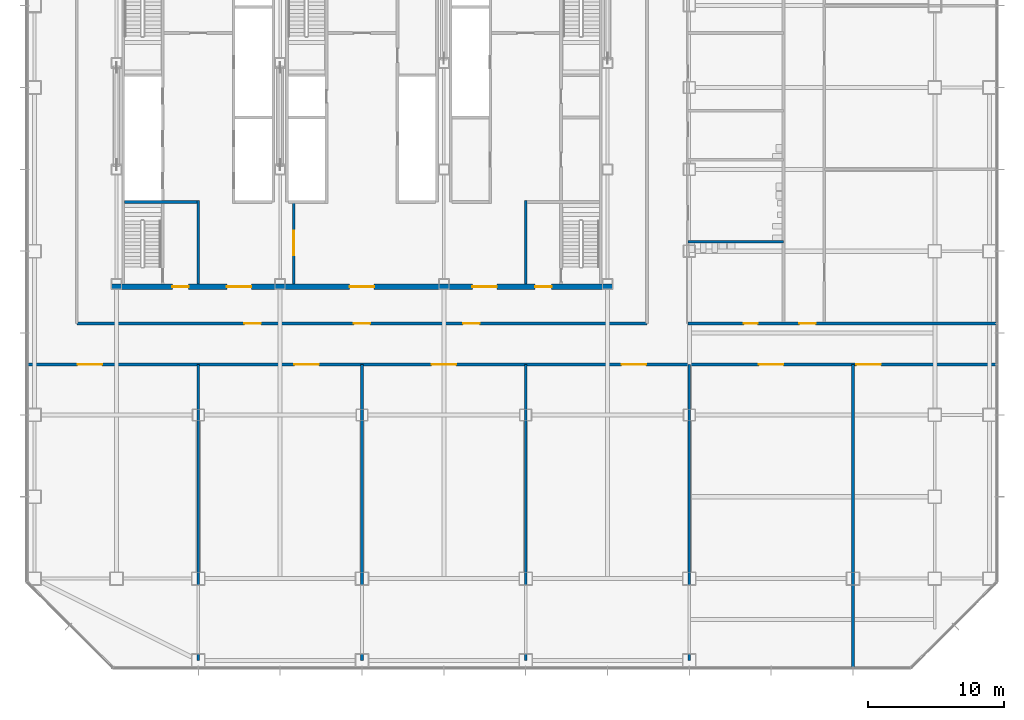
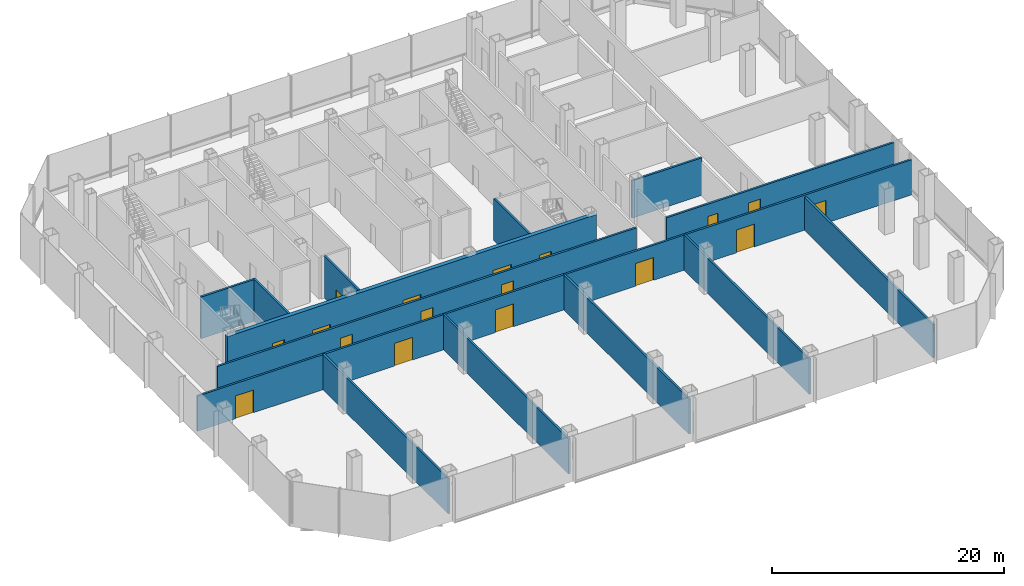
# One storey, part 23 of 33: 17 doors, 14 walls, 17 openings.
"""IFC4 building model written with IfcOpenShell, lengths in metres."""

from ifc_helpers import new_model, si_unit, direction, frame, frame_2d, origin, place, context, subcontext, project, spatial, rectangle, extrude, material, layer, layer_set, type_object, element, fill, save


model = new_model("IFC4")

# Units and contexts
model_context = context("Model", 3, precision=1e-05, world=origin(), true_north=direction((0.0, 1.0)))
body_context = subcontext(model_context, "Body", "Model", "MODEL_VIEW")
ifc_project = project(units=[si_unit("LENGTHUNIT", "METRE"), si_unit("AREAUNIT", "SQUARE_METRE"), si_unit("VOLUMEUNIT", "CUBIC_METRE"), si_unit("PLANEANGLEUNIT", "RADIAN"), si_unit("MASSUNIT", "GRAM", prefix="KILO")], contexts=[model_context])

# Site, building, storey
site_placement = place(None, origin())
site = spatial("IfcSite", under=ifc_project, at=site_placement, CompositionType="ELEMENT")
building_placement = place(site_placement, origin())
building = spatial("IfcBuilding", under=site, at=building_placement, Name="Sorahane Residences", CompositionType="ELEMENT")
storey_placement = place(building_placement, frame((0.0, 0.0, 30.0)))
storey = spatial("IfcBuildingStorey", under=building, at=storey_placement, Name="L04", CompositionType="ELEMENT", Elevation=30.0)

# Walls
ifc_material_1 = material(Name="Concrete blockwork C20 wall", Category="masonry")
ifc_layer_1 = layer(ifc_material_1, 0.199951171875)
ifc_layer_set_1 = layer_set([ifc_layer_1], Name="Corridor wall 200 EI 120")
wall_type_1 = type_object("IfcWallType", Name="Corridor wall 200 EI 120", PredefinedType="SOLIDWALL", material=ifc_layer_set_1)
for number, where, z_axis, x_axis, name in (
    (1, (12.0, -6.0, 0.0), (0.0, 0.0, 1.0), (0.0, 1.0, 0.0), "L04 corridor wall"),
    (2, (24.0, -6.0, 0.0), (0.0, 0.0, 1.0), (0.0, 1.0, 0.0), "L04 corridor wall"),
    (3, (36.0, -6.0, 0.0), (0.0, 0.0, 1.0), (0.0, 1.0, 0.0), "L04 corridor wall"),
    (4, (48.0, -6.0, 0.0), (0.0, 0.0, 1.0), (0.0, 1.0, 0.0), "L04 corridor wall"),
):
    element("IfcWall", number, at=place(storey_placement, frame(where, z_axis=z_axis, x_axis=x_axis)), inside=storey, type_object=wall_type_1, Name=name, PredefinedType="SOLIDWALL", context=body_context, shape_type="SweptSolid", body=[
        extrude(rectangle(XDim=21.699951171875, YDim=0.199951171875, at=frame_2d((10.85009765625, 0.0))), origin(), (0.0, 0.0, 1.0), 3.699951171875),
    ])
wall_1_placement = place(storey_placement, frame((60.0, -6.60009765625, 0.0), z_axis=(0.0, 0.0, 1.0), x_axis=(0.0, 1.0, 0.0)))
element("IfcWall", 5, at=wall_1_placement, inside=storey, type_object=wall_type_1, Name="L04 corridor wall", PredefinedType="SOLIDWALL", context=body_context, shape_type="SweptSolid", body=[
    extrude(rectangle(XDim=22.300048828125, YDim=0.199951171875, at=frame_2d((11.14990234375, 0.0))), origin(), (0.0, 0.0, 1.0), 3.5),
])

# Wall, openings, doors
wall_2_placement = place(storey_placement, frame((-0.60009765625, 15.699951171875, 0.0), z_axis=(0.0, 0.0, 1.0), x_axis=(1.0, 0.0, 0.0)))
wall_2 = element("IfcWall", 6, at=wall_2_placement, inside=storey, type_object=wall_type_1, Name="L04 corridor wall", PredefinedType="SOLIDWALL", context=body_context, shape_type="SweptSolid", body=[
    extrude(rectangle(XDim=71.2001953125, YDim=0.199951171875, at=frame_2d((35.60009765625, 0.0))), origin(), (0.0, 0.0, 1.0), 3.699951171875),
])
opening_1_placement = place(wall_2_placement, frame((3.760009765625, 0.0, 0.0)))
opening_1 = element("IfcOpeningElement", 7, at=opening_1_placement, cuts=wall_2, Name="Opening L04-01", PredefinedType="OPENING", context=body_context, shape_type="SweptSolid", body=[
    extrude(rectangle(XDim=1.800048828125, YDim=2.39990234375, at=frame_2d((0.89990234375, 1.199951171875))), frame((0.0, 0.10986328125, 0.0), z_axis=(0.0, -1.0, 0.0), x_axis=(1.0, 0.0, 0.0)), (0.0, 0.0, 1.0), 0.219970703125),
])
opening_2_placement = place(wall_2_placement, frame((19.639892578125, 0.0, 0.0)))
opening_2 = element("IfcOpeningElement", 8, at=opening_2_placement, cuts=wall_2, Name="Opening L04-02", PredefinedType="OPENING", context=body_context, shape_type="SweptSolid", body=[
    extrude(rectangle(XDim=1.800048828125, YDim=2.39990234375, at=frame_2d((0.89990234375, 1.199951171875))), frame((0.0, 0.10986328125, 0.0), z_axis=(0.0, -1.0, 0.0), x_axis=(1.0, 0.0, 0.0)), (0.0, 0.0, 1.0), 0.219970703125),
])
opening_3_placement = place(wall_2_placement, frame((29.699951171875, 0.0, 0.0)))
opening_3 = element("IfcOpeningElement", 9, at=opening_3_placement, cuts=wall_2, Name="Opening L04-03", PredefinedType="OPENING", context=body_context, shape_type="SweptSolid", body=[
    extrude(rectangle(XDim=1.800048828125, YDim=2.39990234375, at=frame_2d((0.89990234375, 1.199951171875))), frame((0.0, 0.10986328125, 0.0), z_axis=(0.0, -1.0, 0.0), x_axis=(1.0, 0.0, 0.0)), (0.0, 0.0, 1.0), 0.219970703125),
])
opening_4_placement = place(wall_2_placement, frame((43.639892578125, 0.0, 0.0)))
opening_4 = element("IfcOpeningElement", 10, at=opening_4_placement, cuts=wall_2, Name="Opening L04-04", PredefinedType="OPENING", context=body_context, shape_type="SweptSolid", body=[
    extrude(rectangle(XDim=1.800048828125, YDim=2.39990234375, at=frame_2d((0.89990234375, 1.199951171875))), frame((0.0, 0.10986328125, 0.0), z_axis=(0.0, -1.0, 0.0), x_axis=(1.0, 0.0, 0.0)), (0.0, 0.0, 1.0), 0.219970703125),
])
opening_5_placement = place(wall_2_placement, frame((53.699951171875, 0.0, 0.0)))
opening_5 = element("IfcOpeningElement", 11, at=opening_5_placement, cuts=wall_2, Name="Opening L04-05", PredefinedType="OPENING", context=body_context, shape_type="SweptSolid", body=[
    extrude(rectangle(XDim=1.800048828125, YDim=2.39990234375, at=frame_2d((0.89990234375, 1.199951171875))), frame((0.0, 0.10986328125, 0.0), z_axis=(0.0, -1.0, 0.0), x_axis=(1.0, 0.0, 0.0)), (0.0, 0.0, 1.0), 0.219970703125),
])
opening_6_placement = place(wall_2_placement, frame((60.85009765625, 0.0, 0.0)))
opening_6 = element("IfcOpeningElement", 12, at=opening_6_placement, cuts=wall_2, Name="Opening L04-06", PredefinedType="OPENING", context=body_context, shape_type="SweptSolid", body=[
    extrude(rectangle(XDim=1.800048828125, YDim=2.39990234375, at=frame_2d((0.89990234375, 1.199951171875))), frame((0.0, 0.10986328125, 0.0), z_axis=(0.0, -1.0, 0.0), x_axis=(1.0, 0.0, 0.0)), (0.0, 0.0, 1.0), 0.219970703125),
])
ifc_material_2 = material(Name="Timber veneered fire door", Category="wood")
door_type_1 = type_object("IfcDoorType", Name="Double door 1800x2400 FD30", OperationType="NOTDEFINED", PredefinedType="DOOR", material=ifc_material_2)
door_1_placement = place(opening_1_placement, origin())
door_1 = element("IfcDoor", 13, at=door_1_placement, inside=storey, type_object=door_type_1, Name="Double door L04-01", OperationType="SINGLE_SWING_RIGHT", OverallHeight=2.39990234375, OverallWidth=1.800048828125, PredefinedType="DOOR", context=body_context, shape_type="SweptSolid", body=[
    extrude(rectangle(XDim=1.800048828125, YDim=2.39990234375, at=frame_2d((0.89990234375, 1.199951171875))), frame((0.0, 0.02490234375, 0.0), z_axis=(0.0, -1.0, 0.0), x_axis=(1.0, 0.0, 0.0)), (0.0, 0.0, 1.0), 0.050048828125),
])
fill(opening_1, door_1)
door_2_placement = place(opening_2_placement, origin())
door_2 = element("IfcDoor", 14, at=door_2_placement, inside=storey, type_object=door_type_1, Name="Double door L04-02", OperationType="SINGLE_SWING_RIGHT", OverallHeight=2.39990234375, OverallWidth=1.800048828125, PredefinedType="DOOR", context=body_context, shape_type="SweptSolid", body=[
    extrude(rectangle(XDim=1.800048828125, YDim=2.39990234375, at=frame_2d((0.89990234375, 1.199951171875))), frame((0.0, 0.02490234375, 0.0), z_axis=(0.0, -1.0, 0.0), x_axis=(1.0, 0.0, 0.0)), (0.0, 0.0, 1.0), 0.050048828125),
])
fill(opening_2, door_2)
door_3_placement = place(opening_3_placement, origin())
door_3 = element("IfcDoor", 15, at=door_3_placement, inside=storey, type_object=door_type_1, Name="Double door L04-03", OperationType="SINGLE_SWING_LEFT", OverallHeight=2.39990234375, OverallWidth=1.800048828125, PredefinedType="DOOR", context=body_context, shape_type="SweptSolid", body=[
    extrude(rectangle(XDim=1.800048828125, YDim=2.39990234375, at=frame_2d((0.89990234375, 1.199951171875))), frame((0.0, 0.02490234375, 0.0), z_axis=(0.0, -1.0, 0.0), x_axis=(1.0, 0.0, 0.0)), (0.0, 0.0, 1.0), 0.050048828125),
])
fill(opening_3, door_3)
door_4_placement = place(opening_4_placement, origin())
door_4 = element("IfcDoor", 16, at=door_4_placement, inside=storey, type_object=door_type_1, Name="Double door L04-04", OperationType="SINGLE_SWING_RIGHT", OverallHeight=2.39990234375, OverallWidth=1.800048828125, PredefinedType="DOOR", context=body_context, shape_type="SweptSolid", body=[
    extrude(rectangle(XDim=1.800048828125, YDim=2.39990234375, at=frame_2d((0.89990234375, 1.199951171875))), frame((0.0, 0.02490234375, 0.0), z_axis=(0.0, -1.0, 0.0), x_axis=(1.0, 0.0, 0.0)), (0.0, 0.0, 1.0), 0.050048828125),
])
fill(opening_4, door_4)
door_5_placement = place(opening_5_placement, origin())
door_5 = element("IfcDoor", 17, at=door_5_placement, inside=storey, type_object=door_type_1, Name="Double door L04-05", OperationType="SINGLE_SWING_LEFT", OverallHeight=2.39990234375, OverallWidth=1.800048828125, PredefinedType="DOOR", context=body_context, shape_type="SweptSolid", body=[
    extrude(rectangle(XDim=1.800048828125, YDim=2.39990234375, at=frame_2d((0.89990234375, 1.199951171875))), frame((0.0, 0.02490234375, 0.0), z_axis=(0.0, -1.0, 0.0), x_axis=(1.0, 0.0, 0.0)), (0.0, 0.0, 1.0), 0.050048828125),
])
fill(opening_5, door_5)
door_6_placement = place(opening_6_placement, origin())
door_6 = element("IfcDoor", 18, at=door_6_placement, inside=storey, type_object=door_type_1, Name="Double door L04-06", OperationType="SINGLE_SWING_LEFT", OverallHeight=2.39990234375, OverallWidth=1.800048828125, PredefinedType="DOOR", context=body_context, shape_type="SweptSolid", body=[
    extrude(rectangle(XDim=1.800048828125, YDim=2.39990234375, at=frame_2d((0.89990234375, 1.199951171875))), frame((0.0, 0.02490234375, 0.0), z_axis=(0.0, -1.0, 0.0), x_axis=(1.0, 0.0, 0.0)), (0.0, 0.0, 1.0), 0.050048828125),
])
fill(opening_6, door_6)

wall_3_placement = place(storey_placement, frame((3.10009765625, 18.699951171875, 0.0), z_axis=(0.0, 0.0, 1.0), x_axis=(1.0, 0.0, 0.0)))
wall_3 = element("IfcWall", 19, at=wall_3_placement, inside=storey, type_object=wall_type_1, Name="L04 corridor wall", PredefinedType="SOLIDWALL", context=body_context, shape_type="SweptSolid", body=[
    extrude(rectangle(XDim=41.7998046875, YDim=0.199951171875, at=frame_2d((20.89990234375, 0.0))), origin(), (0.0, 0.0, 1.0), 3.699951171875),
])
opening_7_placement = place(wall_3_placement, frame((28.320068359375, 0.0, 0.0)))
opening_7 = element("IfcOpeningElement", 20, at=opening_7_placement, cuts=wall_3, Name="Opening L04-17", PredefinedType="OPENING", context=body_context, shape_type="SweptSolid", body=[
    extrude(rectangle(XDim=1.199951171875, YDim=2.39990234375, at=frame_2d((0.60009765625, 1.199951171875))), frame((0.0, 0.10986328125, 0.0), z_axis=(0.0, -1.0, 0.0), x_axis=(1.0, 0.0, 0.0)), (0.0, 0.0, 1.0), 0.219970703125),
])
opening_8_placement = place(wall_3_placement, frame((20.300048828125, 0.0, 0.0)))
opening_8 = element("IfcOpeningElement", 21, at=opening_8_placement, cuts=wall_3, Name="Opening L04-18", PredefinedType="OPENING", context=body_context, shape_type="SweptSolid", body=[
    extrude(rectangle(XDim=1.199951171875, YDim=2.39990234375, at=frame_2d((0.60009765625, 1.199951171875))), frame((0.0, 0.10986328125, 0.0), z_axis=(0.0, -1.0, 0.0), x_axis=(1.0, 0.0, 0.0)), (0.0, 0.0, 1.0), 0.219970703125),
])
opening_9_placement = place(wall_3_placement, frame((12.280029296875, 0.0, 0.0)))
opening_9 = element("IfcOpeningElement", 22, at=opening_9_placement, cuts=wall_3, Name="Opening L04-19", PredefinedType="OPENING", context=body_context, shape_type="SweptSolid", body=[
    extrude(rectangle(XDim=1.199951171875, YDim=2.39990234375, at=frame_2d((0.60009765625, 1.199951171875))), frame((0.0, 0.10986328125, 0.0), z_axis=(0.0, -1.0, 0.0), x_axis=(1.0, 0.0, 0.0)), (0.0, 0.0, 1.0), 0.219970703125),
])
ifc_material_3 = material(Name="Steel", Category="steel")
door_type_2 = type_object("IfcDoorType", Name="Lobby door 1200x2400 FD60", OperationType="NOTDEFINED", PredefinedType="DOOR", material=ifc_material_3)
door_7_placement = place(opening_7_placement, frame((1.199951171875, 0.0, 0.0), z_axis=(0.0, 0.0, 1.0), x_axis=(-1.0, 0.0, 0.0)))
door_7 = element("IfcDoor", 23, at=door_7_placement, inside=storey, type_object=door_type_2, Name="Lobby door L04-17", OperationType="SINGLE_SWING_LEFT", OverallHeight=2.39990234375, OverallWidth=1.199951171875, PredefinedType="DOOR", context=body_context, shape_type="SweptSolid", body=[
    extrude(rectangle(XDim=1.199951171875, YDim=2.39990234375, at=frame_2d((0.60009765625, 1.199951171875))), frame((0.0, 0.02490234375, 0.0), z_axis=(0.0, -1.0, 0.0), x_axis=(1.0, 0.0, 0.0)), (0.0, 0.0, 1.0), 0.050048828125),
])
fill(opening_7, door_7)
door_8_placement = place(opening_8_placement, frame((1.199951171875, 0.0, 0.0), z_axis=(0.0, 0.0, 1.0), x_axis=(-1.0, 0.0, 0.0)))
door_8 = element("IfcDoor", 24, at=door_8_placement, inside=storey, type_object=door_type_2, Name="Lobby door L04-18", OperationType="SINGLE_SWING_LEFT", OverallHeight=2.39990234375, OverallWidth=1.199951171875, PredefinedType="DOOR", context=body_context, shape_type="SweptSolid", body=[
    extrude(rectangle(XDim=1.199951171875, YDim=2.39990234375, at=frame_2d((0.60009765625, 1.199951171875))), frame((0.0, 0.02490234375, 0.0), z_axis=(0.0, -1.0, 0.0), x_axis=(1.0, 0.0, 0.0)), (0.0, 0.0, 1.0), 0.050048828125),
])
fill(opening_8, door_8)
door_9_placement = place(opening_9_placement, frame((1.199951171875, 0.0, 0.0), z_axis=(0.0, 0.0, 1.0), x_axis=(-1.0, 0.0, 0.0)))
door_9 = element("IfcDoor", 25, at=door_9_placement, inside=storey, type_object=door_type_2, Name="Lobby door L04-19", OperationType="SINGLE_SWING_LEFT", OverallHeight=2.39990234375, OverallWidth=1.199951171875, PredefinedType="DOOR", context=body_context, shape_type="SweptSolid", body=[
    extrude(rectangle(XDim=1.199951171875, YDim=2.39990234375, at=frame_2d((0.60009765625, 1.199951171875))), frame((0.0, 0.02490234375, 0.0), z_axis=(0.0, -1.0, 0.0), x_axis=(1.0, 0.0, 0.0)), (0.0, 0.0, 1.0), 0.050048828125),
])
fill(opening_9, door_9)

wall_4_placement = place(storey_placement, frame((47.89990234375, 18.699951171875, 0.0), z_axis=(0.0, 0.0, 1.0), x_axis=(1.0, 0.0, 0.0)))
wall_4 = element("IfcWall", 26, at=wall_4_placement, inside=storey, type_object=wall_type_1, Name="L04 corridor wall", PredefinedType="SOLIDWALL", context=body_context, shape_type="SweptSolid", body=[
    extrude(rectangle(XDim=22.7001953125, YDim=0.199951171875, at=frame_2d((11.35009765625, 0.0))), origin(), (0.0, 0.0, 1.0), 3.699951171875),
])
opening_10_placement = place(wall_4_placement, frame((4.10009765625, 0.0, 0.0)))
opening_10 = element("IfcOpeningElement", 27, at=opening_10_placement, cuts=wall_4, Name="Opening L04-07", PredefinedType="OPENING", context=body_context, shape_type="SweptSolid", body=[
    extrude(rectangle(XDim=1.0, YDim=2.39990234375, at=frame_2d((0.5, 1.199951171875))), frame((0.0, 0.10986328125, 0.0), z_axis=(0.0, -1.0, 0.0), x_axis=(1.0, 0.0, 0.0)), (0.0, 0.0, 1.0), 0.219970703125),
])
opening_11_placement = place(wall_4_placement, frame((8.159912109375, 0.0, 0.0)))
opening_11 = element("IfcOpeningElement", 28, at=opening_11_placement, cuts=wall_4, Name="Opening L04-13", PredefinedType="OPENING", context=body_context, shape_type="SweptSolid", body=[
    extrude(rectangle(XDim=1.199951171875, YDim=2.39990234375, at=frame_2d((0.60009765625, 1.199951171875))), frame((0.0, 0.10986328125, 0.0), z_axis=(0.0, -1.0, 0.0), x_axis=(1.0, 0.0, 0.0)), (0.0, 0.0, 1.0), 0.219970703125),
])
door_10_placement = place(opening_11_placement, origin())
door_10 = element("IfcDoor", 29, at=door_10_placement, inside=storey, type_object=door_type_2, Name="Lobby door L04-13", OperationType="SINGLE_SWING_RIGHT", OverallHeight=2.39990234375, OverallWidth=1.199951171875, PredefinedType="DOOR", context=body_context, shape_type="SweptSolid", body=[
    extrude(rectangle(XDim=1.199951171875, YDim=2.39990234375, at=frame_2d((0.60009765625, 1.199951171875))), frame((0.0, 0.02490234375, 0.0), z_axis=(0.0, -1.0, 0.0), x_axis=(1.0, 0.0, 0.0)), (0.0, 0.0, 1.0), 0.050048828125),
])
fill(opening_11, door_10)
ifc_material_4 = material(Name="Timber veneered fire door", Category="wood")
door_type_3 = type_object("IfcDoorType", Name="Room door 1000x2400 FD30", OperationType="NOTDEFINED", PredefinedType="DOOR", material=ifc_material_4)
door_11_placement = place(opening_10_placement, origin())
door_11 = element("IfcDoor", 30, at=door_11_placement, inside=storey, type_object=door_type_3, Name="Room door L04-07", OperationType="SINGLE_SWING_LEFT", OverallHeight=2.39990234375, OverallWidth=1.0, PredefinedType="DOOR", context=body_context, shape_type="SweptSolid", body=[
    extrude(rectangle(XDim=1.0, YDim=2.39990234375, at=frame_2d((0.5, 1.199951171875))), frame((0.0, 0.02490234375, 0.0), z_axis=(0.0, -1.0, 0.0), x_axis=(1.0, 0.0, 0.0)), (0.0, 0.0, 1.0), 0.050048828125),
])
fill(opening_10, door_11)

# Walls
wall_5_placement = place(storey_placement, frame((47.89990234375, 24.699951171875, 0.0), z_axis=(0.0, 0.0, 1.0), x_axis=(1.0, 0.0, 0.0)))
element("IfcWall", 31, at=wall_5_placement, inside=storey, type_object=wall_type_1, Name="L04 corridor wall", PredefinedType="SOLIDWALL", context=body_context, shape_type="SweptSolid", body=[
    extrude(rectangle(XDim=7.0, YDim=0.199951171875, at=frame_2d((3.5, 0.0))), origin(), (0.0, 0.0, 1.0), 3.949951171875),
])
ifc_material_5 = material(Name="Concrete C30", Category="concrete")
ifc_layer_2 = layer(ifc_material_5, 0.199951171875)
ifc_layer_set_2 = layer_set([ifc_layer_2], Name="Front room wall 200 EI 120")
wall_type_2 = type_object("IfcWallType", Name="Front room wall 200 EI 120", PredefinedType="PARTITIONING", material=ifc_layer_set_2)
for number, where, z_axis, x_axis, name in (
    (32, (12.0, 21.60009765625, 0.0), (0.0, 0.0, 1.0), (0.0, 1.0, 0.0), "L04 front room wall"),
    (33, (36.0, 21.60009765625, 0.0), (0.0, 0.0, 1.0), (0.0, 1.0, 0.0), "L04 front room wall"),
):
    element("IfcWall", number, at=place(storey_placement, frame(where, z_axis=z_axis, x_axis=x_axis)), inside=storey, type_object=wall_type_2, Name=name, PredefinedType="PARTITIONING", context=body_context, shape_type="SweptSolid", body=[
        extrude(rectangle(XDim=6.099853515625, YDim=0.199951171875, at=frame_2d((3.0498046875, 0.0))), origin(), (0.0, 0.0, 1.0), 4.39990234375),
    ])

# Wall, opening, door
ifc_material_6 = material(Name="Concrete C30", Category="concrete")
ifc_layer_3 = layer(ifc_material_6, 0.199951171875)
ifc_layer_set_3 = layer_set([ifc_layer_3], Name="Service room partition 200 EI 60")
wall_type_3 = type_object("IfcWallType", Name="Service room partition 200 EI 60", PredefinedType="PARTITIONING", material=ifc_layer_set_3)
wall_6_placement = place(storey_placement, frame((19.0, 21.60009765625, 0.0), z_axis=(0.0, 0.0, 1.0), x_axis=(0.0, 1.0, 0.0)))
wall_6 = element("IfcWall", 34, at=wall_6_placement, inside=storey, type_object=wall_type_3, Name="L04 service room wall", PredefinedType="PARTITIONING", context=body_context, shape_type="SweptSolid", body=[
    extrude(rectangle(XDim=6.0, YDim=0.199951171875, at=frame_2d((3.0, 0.0))), origin(), (0.0, 0.0, 1.0), 4.39990234375),
])
opening_12_placement = place(wall_6_placement, frame((2.10009765625, 0.0, 0.0)))
opening_12 = element("IfcOpeningElement", 35, at=opening_12_placement, cuts=wall_6, Name="Opening L04-C02", PredefinedType="OPENING", context=body_context, shape_type="SweptSolid", body=[
    extrude(rectangle(XDim=1.800048828125, YDim=2.10009765625, at=frame_2d((0.89990234375, 1.050048828125))), frame((0.0, 0.10986328125, 0.0), z_axis=(0.0, -1.0, 0.0), x_axis=(1.0, 0.0, 0.0)), (0.0, 0.0, 1.0), 0.219970703125),
])
ifc_material_7 = material(Name="Steel", Category="steel")
door_type_4 = type_object("IfcDoorType", Name="Waiting hall door 1800x2100 FD60", OperationType="NOTDEFINED", PredefinedType="DOOR", material=ifc_material_7)
door_12_placement = place(opening_12_placement, origin())
door_12 = element("IfcDoor", 36, at=door_12_placement, inside=storey, type_object=door_type_4, Name="Waiting hall door Residents' waiting hall west L04", OperationType="SINGLE_SWING_LEFT", OverallHeight=2.10009765625, OverallWidth=1.800048828125, PredefinedType="DOOR", context=body_context, shape_type="SweptSolid", body=[
    extrude(rectangle(XDim=1.800048828125, YDim=2.10009765625, at=frame_2d((0.89990234375, 1.050048828125))), frame((0.0, 0.02490234375, 0.0), z_axis=(0.0, -1.0, 0.0), x_axis=(1.0, 0.0, 0.0)), (0.0, 0.0, 1.0), 0.050048828125),
])
fill(opening_12, door_12)

# Wall
ifc_material_8 = material(Name="Concrete C30", Category="concrete")
ifc_layer_4 = layer(ifc_material_8, 0.199951171875)
ifc_layer_set_4 = layer_set([ifc_layer_4], Name="Stair enclosure wall 200 EI 120")
wall_type_4 = type_object("IfcWallType", Name="Stair enclosure wall 200 EI 120", PredefinedType="SOLIDWALL", material=ifc_layer_set_4)
wall_7_placement = place(storey_placement, frame((6.60009765625, 27.60009765625, 0.0), z_axis=(0.0, 0.0, 1.0), x_axis=(1.0, 0.0, 0.0)))
element("IfcWall", 37, at=wall_7_placement, inside=storey, type_object=wall_type_4, Name="L04 stair enclosure wall", PredefinedType="SOLIDWALL", context=body_context, shape_type="SweptSolid", body=[
    extrude(rectangle(XDim=5.2998046875, YDim=0.199951171875, at=frame_2d((2.64990234375, 0.0))), origin(), (0.0, 0.0, 1.0), 4.39990234375),
])

# Wall, openings, doors
ifc_material_9 = material(Name="Concrete C30", Category="concrete")
ifc_layer_5 = layer(ifc_material_9, 0.39990234375)
ifc_layer_set_5 = layer_set([ifc_layer_5], Name="Waiting hall wall 400 EI 120")
wall_type_5 = type_object("IfcWallType", Name="Waiting hall wall 400 EI 120", PredefinedType="SOLIDWALL", material=ifc_layer_set_5)
wall_8_placement = place(storey_placement, frame((5.60009765625, 21.39990234375, 0.0), z_axis=(0.0, 0.0, 1.0), x_axis=(1.0, 0.0, 0.0)))
wall_8 = element("IfcWall", 38, at=wall_8_placement, inside=storey, type_object=wall_type_5, Name="L04 waiting hall wall", PredefinedType="SOLIDWALL", context=body_context, shape_type="SweptSolid", body=[
    extrude(rectangle(XDim=36.7998046875, YDim=0.39990234375, at=frame_2d((18.39990234375, 0.0))), origin(), (0.0, 0.0, 1.0), 4.39990234375),
])
opening_13_placement = place(wall_8_placement, frame((8.5, 0.0, 0.0)))
opening_13 = element("IfcOpeningElement", 39, at=opening_13_placement, cuts=wall_8, Name="Opening L04-C01", PredefinedType="OPENING", context=body_context, shape_type="SweptSolid", body=[
    extrude(rectangle(XDim=1.800048828125, YDim=2.10009765625, at=frame_2d((0.89990234375, 1.050048828125))), frame((0.0, 0.2099609375, 0.0), z_axis=(0.0, -1.0, 0.0), x_axis=(1.0, 0.0, 0.0)), (0.0, 0.0, 1.0), 0.419921875),
])
opening_14_placement = place(wall_8_placement, frame((17.5, 0.0, 0.0)))
opening_14 = element("IfcOpeningElement", 40, at=opening_14_placement, cuts=wall_8, Name="Opening L04-C03", PredefinedType="OPENING", context=body_context, shape_type="SweptSolid", body=[
    extrude(rectangle(XDim=1.800048828125, YDim=2.10009765625, at=frame_2d((0.89990234375, 1.050048828125))), frame((0.0, 0.2099609375, 0.0), z_axis=(0.0, -1.0, 0.0), x_axis=(1.0, 0.0, 0.0)), (0.0, 0.0, 1.0), 0.419921875),
])
opening_15_placement = place(wall_8_placement, frame((26.5, 0.0, 0.0)))
opening_15 = element("IfcOpeningElement", 41, at=opening_15_placement, cuts=wall_8, Name="Opening L04-C04", PredefinedType="OPENING", context=body_context, shape_type="SweptSolid", body=[
    extrude(rectangle(XDim=1.800048828125, YDim=2.10009765625, at=frame_2d((0.89990234375, 1.050048828125))), frame((0.0, 0.2099609375, 0.0), z_axis=(0.0, -1.0, 0.0), x_axis=(1.0, 0.0, 0.0)), (0.0, 0.0, 1.0), 0.419921875),
])
opening_16_placement = place(wall_8_placement, frame((4.5, 0.0, 0.0)))
opening_16 = element("IfcOpeningElement", 42, at=opening_16_placement, cuts=wall_8, Name="Opening L04-C05", PredefinedType="OPENING", context=body_context, shape_type="SweptSolid", body=[
    extrude(rectangle(XDim=1.199951171875, YDim=2.10009765625, at=frame_2d((0.60009765625, 1.050048828125))), frame((0.0, 0.2099609375, 0.0), z_axis=(0.0, -1.0, 0.0), x_axis=(1.0, 0.0, 0.0)), (0.0, 0.0, 1.0), 0.419921875),
])
opening_17_placement = place(wall_8_placement, frame((31.10009765625, 0.0, 0.0)))
opening_17 = element("IfcOpeningElement", 43, at=opening_17_placement, cuts=wall_8, Name="Opening L04-C06", PredefinedType="OPENING", context=body_context, shape_type="SweptSolid", body=[
    extrude(rectangle(XDim=1.199951171875, YDim=2.10009765625, at=frame_2d((0.60009765625, 1.050048828125))), frame((0.0, 0.2099609375, 0.0), z_axis=(0.0, -1.0, 0.0), x_axis=(1.0, 0.0, 0.0)), (0.0, 0.0, 1.0), 0.419921875),
])
ifc_material_10 = material(Name="Steel", Category="steel")
door_type_5 = type_object("IfcDoorType", Name="Stair front room door 1200x2100 FD120", OperationType="NOTDEFINED", PredefinedType="DOOR", material=ifc_material_10)
door_13_placement = place(opening_16_placement, frame((1.199951171875, 0.0, 0.0), z_axis=(0.0, 0.0, 1.0), x_axis=(-1.0, 0.0, 0.0)))
door_13 = element("IfcDoor", 44, at=door_13_placement, inside=storey, type_object=door_type_5, Name="Stair front room door Stair S4 front room L04", OperationType="SINGLE_SWING_LEFT", OverallHeight=2.10009765625, OverallWidth=1.199951171875, PredefinedType="DOOR", context=body_context, shape_type="SweptSolid", body=[
    extrude(rectangle(XDim=1.199951171875, YDim=2.10009765625, at=frame_2d((0.60009765625, 1.050048828125))), frame((0.0, 0.02490234375, 0.0), z_axis=(0.0, -1.0, 0.0), x_axis=(1.0, 0.0, 0.0)), (0.0, 0.0, 1.0), 0.050048828125),
])
fill(opening_16, door_13)
door_14_placement = place(opening_17_placement, frame((1.199951171875, 0.0, 0.0), z_axis=(0.0, 0.0, 1.0), x_axis=(-1.0, 0.0, 0.0)))
door_14 = element("IfcDoor", 45, at=door_14_placement, inside=storey, type_object=door_type_5, Name="Stair front room door Stair S5 front room L04", OperationType="SINGLE_SWING_LEFT", OverallHeight=2.10009765625, OverallWidth=1.199951171875, PredefinedType="DOOR", context=body_context, shape_type="SweptSolid", body=[
    extrude(rectangle(XDim=1.199951171875, YDim=2.10009765625, at=frame_2d((0.60009765625, 1.050048828125))), frame((0.0, 0.02490234375, 0.0), z_axis=(0.0, -1.0, 0.0), x_axis=(1.0, 0.0, 0.0)), (0.0, 0.0, 1.0), 0.050048828125),
])
fill(opening_17, door_14)
door_15_placement = place(opening_13_placement, frame((1.800048828125, 0.0, 0.0), z_axis=(0.0, 0.0, 1.0), x_axis=(-1.0, 0.0, 0.0)))
door_15 = element("IfcDoor", 46, at=door_15_placement, inside=storey, type_object=door_type_4, Name="Waiting hall door Residents' waiting hall west L04", OperationType="SINGLE_SWING_LEFT", OverallHeight=2.10009765625, OverallWidth=1.800048828125, PredefinedType="DOOR", context=body_context, shape_type="SweptSolid", body=[
    extrude(rectangle(XDim=1.800048828125, YDim=2.10009765625, at=frame_2d((0.89990234375, 1.050048828125))), frame((0.0, 0.02490234375, 0.0), z_axis=(0.0, -1.0, 0.0), x_axis=(1.0, 0.0, 0.0)), (0.0, 0.0, 1.0), 0.050048828125),
])
fill(opening_13, door_15)
door_16_placement = place(opening_14_placement, frame((1.800048828125, 0.0, 0.0), z_axis=(0.0, 0.0, 1.0), x_axis=(-1.0, 0.0, 0.0)))
door_16 = element("IfcDoor", 47, at=door_16_placement, inside=storey, type_object=door_type_4, Name="Waiting hall door Residents' waiting hall east L04", OperationType="SINGLE_SWING_LEFT", OverallHeight=2.10009765625, OverallWidth=1.800048828125, PredefinedType="DOOR", context=body_context, shape_type="SweptSolid", body=[
    extrude(rectangle(XDim=1.800048828125, YDim=2.10009765625, at=frame_2d((0.89990234375, 1.050048828125))), frame((0.0, 0.02490234375, 0.0), z_axis=(0.0, -1.0, 0.0), x_axis=(1.0, 0.0, 0.0)), (0.0, 0.0, 1.0), 0.050048828125),
])
fill(opening_14, door_16)
door_17_placement = place(opening_15_placement, frame((1.800048828125, 0.0, 0.0), z_axis=(0.0, 0.0, 1.0), x_axis=(-1.0, 0.0, 0.0)))
door_17 = element("IfcDoor", 48, at=door_17_placement, inside=storey, type_object=door_type_4, Name="Waiting hall door Residents' waiting hall east L04", OperationType="SINGLE_SWING_LEFT", OverallHeight=2.10009765625, OverallWidth=1.800048828125, PredefinedType="DOOR", context=body_context, shape_type="SweptSolid", body=[
    extrude(rectangle(XDim=1.800048828125, YDim=2.10009765625, at=frame_2d((0.89990234375, 1.050048828125))), frame((0.0, 0.02490234375, 0.0), z_axis=(0.0, -1.0, 0.0), x_axis=(1.0, 0.0, 0.0)), (0.0, 0.0, 1.0), 0.050048828125),
])
fill(opening_15, door_17)

save(model, "model.ifc")
